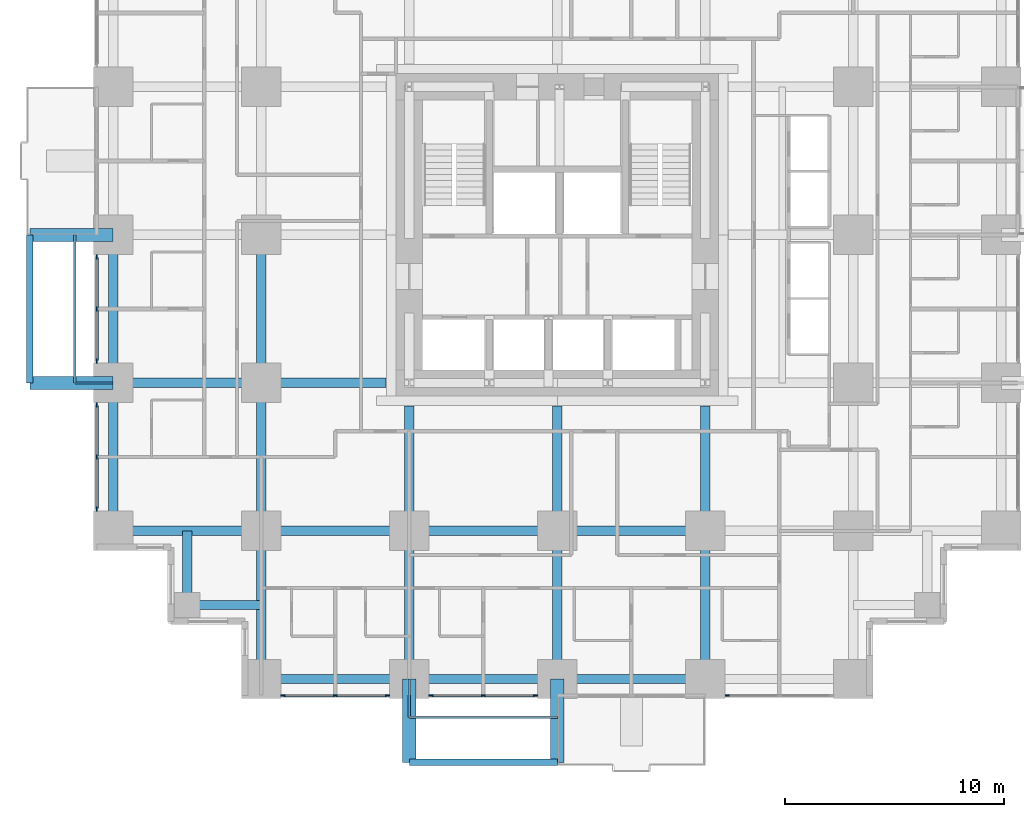
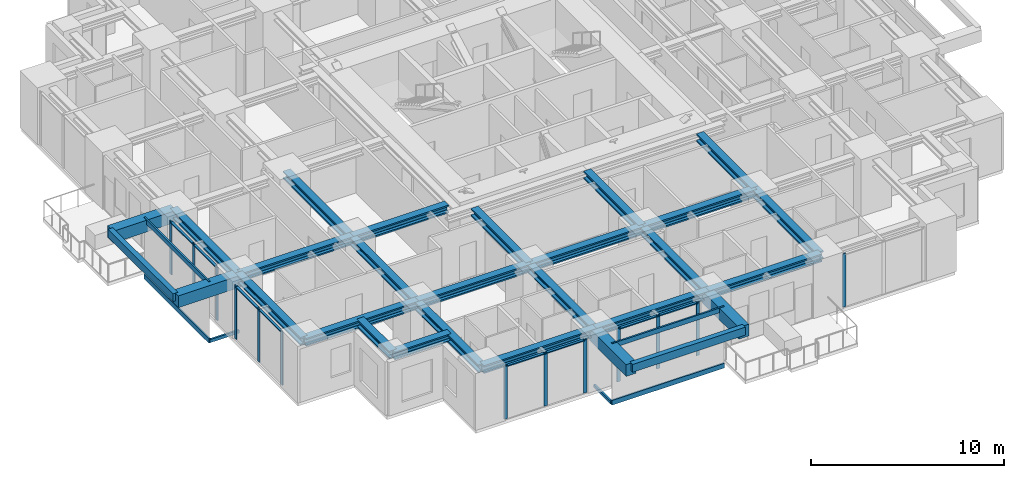
# One storey, part 2 of 14: 28 beams, 27 members, 5 elements without a shape of their own.
"""IFC4 building model written with IfcOpenShell, lengths in metres."""

from ifc_helpers import new_model, si_unit, direction, frame, origin, origin_2d, place, context, subcontext, project, spatial, rectangle, hollow_rectangle, i_section, extrude, material, material_profile, profile_set, type_object, element, aggregate, save


model = new_model("IFC4")

# Units and contexts
model_context = context("Model", 3, precision=1e-05, world=origin(), true_north=direction((0.0, 1.0)))
body_context = subcontext(model_context, "Body", "Model", "MODEL_VIEW")
ifc_project = project(units=[si_unit("LENGTHUNIT", "METRE"), si_unit("AREAUNIT", "SQUARE_METRE"), si_unit("VOLUMEUNIT", "CUBIC_METRE"), si_unit("PLANEANGLEUNIT", "RADIAN"), si_unit("MASSUNIT", "GRAM", prefix="KILO")], contexts=[model_context])

# Site, building, storey
site_placement = place(None, origin())
site = spatial("IfcSite", under=ifc_project, at=site_placement, CompositionType="ELEMENT")
building_placement = place(site_placement, origin())
building = spatial("IfcBuilding", under=site, at=building_placement, Name="Nyansa Garden Tower", CompositionType="ELEMENT")
storey_placement = place(building_placement, frame((0.0, 0.0, 50.39990234375)))
storey = spatial("IfcBuildingStorey", under=building, at=storey_placement, Name="L13", CompositionType="ELEMENT", Elevation=50.39990234375)

# Beams
ifc_material_1 = material(Name="Concrete C70/85", Category="concrete")
ifc_material_profile_1 = material_profile(ifc_material_1, rectangle(XDim=0.60009765625, YDim=0.75, at=origin_2d()), Name="RC 600x750")
ifc_profile_set_1 = profile_set([ifc_material_profile_1], Name="Concrete C70/85")
beam_type_1 = type_object("IfcBeamType", Name="Balcony cantilever beam CB1 RC 600x750", PredefinedType="BEAM", material=ifc_profile_set_1)
for number, where, z_axis, x_axis, name in (
    (1, (13.5, 0.0, 2.985107421875), (0.0, -1.0, 0.0), (1.0, 0.0, 0.0), "Balcony cantilever beam L14"),
    (2, (20.25, 0.0, 2.985107421875), (0.0, -1.0, 0.0), (1.0, 0.0, 0.0), "Balcony cantilever beam L14"),
    (3, (0.0, 13.5, 2.985107421875), (-1.0, 0.0, 0.0), (0.0, -1.0, 0.0), "Balcony cantilever beam L14"),
    (4, (0.0, 20.25, 2.985107421875), (-1.0, 0.0, 0.0), (0.0, -1.0, 0.0), "Balcony cantilever beam L14"),
):
    element("IfcBeam", number, at=place(storey_placement, frame(where, z_axis=z_axis, x_axis=x_axis)), inside=storey, type_object=beam_type_1, Name=name, PredefinedType="BEAM", context=body_context, shape_type="SweptSolid", body=[
        extrude(rectangle(XDim=0.60009765625, YDim=0.75, at=origin_2d()), origin(), (0.0, 0.0, 1.0), 3.800048828125),
    ])
ifc_material_2 = material(Name="Concrete C70/85", Category="concrete")
ifc_material_profile_2 = material_profile(ifc_material_2, rectangle(XDim=0.300048828125, YDim=0.5, at=origin_2d()), Name="RC 300x500")
ifc_profile_set_2 = profile_set([ifc_material_profile_2], Name="Concrete C70/85")
beam_type_2 = type_object("IfcBeamType", Name="Balcony edge beam BE1 RC 300x500", PredefinedType="BEAM", material=ifc_profile_set_2)
for number, where, z_axis, x_axis, name in (
    (5, (13.5, -3.800048828125, 3.110107421875), (1.0, 0.0, 0.0), (0.0, 1.0, 0.0), "Balcony edge beam L14"),
    (6, (-3.800048828125, 13.5, 3.110107421875), (0.0, 1.0, 0.0), (-1.0, 0.0, 0.0), "Balcony edge beam L14"),
):
    element("IfcBeam", number, at=place(storey_placement, frame(where, z_axis=z_axis, x_axis=x_axis)), inside=storey, type_object=beam_type_2, Name=name, PredefinedType="BEAM", context=body_context, shape_type="SweptSolid", body=[
        extrude(rectangle(XDim=0.300048828125, YDim=0.5, at=origin_2d()), origin(), (0.0, 0.0, 1.0), 6.75),
    ])

# Curtain wall, members
ifc_material_3 = material(Name="Black anodised aluminium, dark tinted double glazing", Category="aluminium")
curtain_wall_type = type_object("IfcCurtainWallType", Name="Inner skin curtain wall ISW-A", PredefinedType="USERDEFINED", material=ifc_material_3)
curtain_wall_1_placement = place(storey_placement, origin())
curtain_wall_1 = element("IfcCurtainWall", 7, at=curtain_wall_1_placement, inside=storey, type_object=curtain_wall_type, Name="Inner skin curtain wall L13 W", ObjectType="UNITISED CURTAIN WALL", PredefinedType="USERDEFINED")
ifc_material_4 = material(Name="Black anodised aluminium", Category="aluminium")
ifc_material_profile_3 = material_profile(ifc_material_4, rectangle(XDim=0.06494140625, YDim=0.199951171875, at=origin_2d()), Name="Mullion 200x65")
ifc_profile_set_3 = profile_set([ifc_material_profile_3], Name="Black anodised aluminium")
member_type_1 = type_object("IfcMemberType", Name="Mullion ISW-A 200x65", PredefinedType="MULLION", material=ifc_profile_set_3)
member_1_placement = place(storey_placement, frame((-0.75, 19.25, 0.0), z_axis=(0.0, 0.0, 1.0), x_axis=(1.0, 0.0, 0.0)))
member_1 = element("IfcMember", 8, at=member_1_placement, type_object=member_type_1, Name="ISW-A mullion 1", PredefinedType="MULLION", context=body_context, shape_type="SweptSolid", body=[
    extrude(rectangle(XDim=0.06494140625, YDim=0.199951171875, at=origin_2d()), origin(), (0.0, 0.0, 1.0), 3.375),
])
member_2_placement = place(storey_placement, frame((-0.75, 16.875, 0.0), z_axis=(0.0, 0.0, 1.0), x_axis=(1.0, 0.0, 0.0)))
member_2 = element("IfcMember", 9, at=member_2_placement, type_object=member_type_1, Name="ISW-A mullion 2", PredefinedType="MULLION", context=body_context, shape_type="SweptSolid", body=[
    extrude(rectangle(XDim=0.06494140625, YDim=0.199951171875, at=origin_2d()), origin(), (0.0, 0.0, 1.0), 3.375),
])
member_3_placement = place(storey_placement, frame((-0.75, 14.5, 0.0), z_axis=(0.0, 0.0, 1.0), x_axis=(1.0, 0.0, 0.0)))
member_3 = element("IfcMember", 10, at=member_3_placement, type_object=member_type_1, Name="ISW-A mullion 3", PredefinedType="MULLION", context=body_context, shape_type="SweptSolid", body=[
    extrude(rectangle(XDim=0.06494140625, YDim=0.199951171875, at=origin_2d()), origin(), (0.0, 0.0, 1.0), 3.375),
])

curtain_wall_2_placement = place(storey_placement, origin())
curtain_wall_2 = element("IfcCurtainWall", 11, at=curtain_wall_2_placement, inside=storey, type_object=curtain_wall_type, Name="Inner skin curtain wall L13 W", ObjectType="UNITISED CURTAIN WALL", PredefinedType="USERDEFINED")
member_4_placement = place(storey_placement, frame((-0.75, 12.5, 0.0), z_axis=(0.0, 0.0, 1.0), x_axis=(1.0, 0.0, 0.0)))
member_4 = element("IfcMember", 12, at=member_4_placement, type_object=member_type_1, Name="ISW-A mullion 1", PredefinedType="MULLION", context=body_context, shape_type="SweptSolid", body=[
    extrude(rectangle(XDim=0.06494140625, YDim=0.199951171875, at=origin_2d()), origin(), (0.0, 0.0, 1.0), 3.375),
])
member_5_placement = place(storey_placement, frame((-0.75, 10.125, 0.0), z_axis=(0.0, 0.0, 1.0), x_axis=(1.0, 0.0, 0.0)))
member_5 = element("IfcMember", 13, at=member_5_placement, type_object=member_type_1, Name="ISW-A mullion 2", PredefinedType="MULLION", context=body_context, shape_type="SweptSolid", body=[
    extrude(rectangle(XDim=0.06494140625, YDim=0.199951171875, at=origin_2d()), origin(), (0.0, 0.0, 1.0), 3.375),
])
member_6_placement = place(storey_placement, frame((-0.75, 7.75, 0.0), z_axis=(0.0, 0.0, 1.0), x_axis=(1.0, 0.0, 0.0)))
member_6 = element("IfcMember", 14, at=member_6_placement, type_object=member_type_1, Name="ISW-A mullion 3", PredefinedType="MULLION", context=body_context, shape_type="SweptSolid", body=[
    extrude(rectangle(XDim=0.06494140625, YDim=0.199951171875, at=origin_2d()), origin(), (0.0, 0.0, 1.0), 3.375),
])

curtain_wall_3_placement = place(storey_placement, origin())
curtain_wall_3 = element("IfcCurtainWall", 15, at=curtain_wall_3_placement, inside=storey, type_object=curtain_wall_type, Name="Inner skin curtain wall L13 S", ObjectType="UNITISED CURTAIN WALL", PredefinedType="USERDEFINED")
member_7_placement = place(storey_placement, frame((7.75, -0.75, 0.0), z_axis=(0.0, 0.0, 1.0), x_axis=(0.0, 1.0, 0.0)))
member_7 = element("IfcMember", 16, at=member_7_placement, type_object=member_type_1, Name="ISW-A mullion 1", PredefinedType="MULLION", context=body_context, shape_type="SweptSolid", body=[
    extrude(rectangle(XDim=0.06494140625, YDim=0.199951171875, at=origin_2d()), origin(), (0.0, 0.0, 1.0), 3.375),
])
member_8_placement = place(storey_placement, frame((10.125, -0.75, 0.0), z_axis=(0.0, 0.0, 1.0), x_axis=(0.0, 1.0, 0.0)))
member_8 = element("IfcMember", 17, at=member_8_placement, type_object=member_type_1, Name="ISW-A mullion 2", PredefinedType="MULLION", context=body_context, shape_type="SweptSolid", body=[
    extrude(rectangle(XDim=0.06494140625, YDim=0.199951171875, at=origin_2d()), origin(), (0.0, 0.0, 1.0), 3.375),
])
member_9_placement = place(storey_placement, frame((12.5, -0.75, 0.0), z_axis=(0.0, 0.0, 1.0), x_axis=(0.0, 1.0, 0.0)))
member_9 = element("IfcMember", 18, at=member_9_placement, type_object=member_type_1, Name="ISW-A mullion 3", PredefinedType="MULLION", context=body_context, shape_type="SweptSolid", body=[
    extrude(rectangle(XDim=0.06494140625, YDim=0.199951171875, at=origin_2d()), origin(), (0.0, 0.0, 1.0), 3.375),
])

curtain_wall_4_placement = place(storey_placement, origin())
curtain_wall_4 = element("IfcCurtainWall", 19, at=curtain_wall_4_placement, inside=storey, type_object=curtain_wall_type, Name="Inner skin curtain wall L13 S", ObjectType="UNITISED CURTAIN WALL", PredefinedType="USERDEFINED")
member_10_placement = place(storey_placement, frame((14.5, -0.75, 0.0), z_axis=(0.0, 0.0, 1.0), x_axis=(0.0, 1.0, 0.0)))
member_10 = element("IfcMember", 20, at=member_10_placement, type_object=member_type_1, Name="ISW-A mullion 1", PredefinedType="MULLION", context=body_context, shape_type="SweptSolid", body=[
    extrude(rectangle(XDim=0.06494140625, YDim=0.199951171875, at=origin_2d()), origin(), (0.0, 0.0, 1.0), 3.375),
])
member_11_placement = place(storey_placement, frame((16.875, -0.75, 0.0), z_axis=(0.0, 0.0, 1.0), x_axis=(0.0, 1.0, 0.0)))
member_11 = element("IfcMember", 21, at=member_11_placement, type_object=member_type_1, Name="ISW-A mullion 2", PredefinedType="MULLION", context=body_context, shape_type="SweptSolid", body=[
    extrude(rectangle(XDim=0.06494140625, YDim=0.199951171875, at=origin_2d()), origin(), (0.0, 0.0, 1.0), 3.375),
])
member_12_placement = place(storey_placement, frame((19.25, -0.75, 0.0), z_axis=(0.0, 0.0, 1.0), x_axis=(0.0, 1.0, 0.0)))
member_12 = element("IfcMember", 22, at=member_12_placement, type_object=member_type_1, Name="ISW-A mullion 3", PredefinedType="MULLION", context=body_context, shape_type="SweptSolid", body=[
    extrude(rectangle(XDim=0.06494140625, YDim=0.199951171875, at=origin_2d()), origin(), (0.0, 0.0, 1.0), 3.375),
])

# Curtain wall, member
curtain_wall_5_placement = place(storey_placement, origin())
curtain_wall_5 = element("IfcCurtainWall", 23, at=curtain_wall_5_placement, inside=storey, type_object=curtain_wall_type, Name="Inner skin curtain wall L13 S", ObjectType="UNITISED CURTAIN WALL", PredefinedType="USERDEFINED")
member_13_placement = place(storey_placement, frame((28.0, -0.75, 0.0), z_axis=(0.0, 0.0, 1.0), x_axis=(0.0, 1.0, 0.0)))
member_13 = element("IfcMember", 24, at=member_13_placement, type_object=member_type_1, Name="ISW-A mullion 1", PredefinedType="MULLION", context=body_context, shape_type="SweptSolid", body=[
    extrude(rectangle(XDim=0.06494140625, YDim=0.199951171875, at=origin_2d()), origin(), (0.0, 0.0, 1.0), 3.375),
])
aggregate(curtain_wall_5, [member_13])

# Members
ifc_material_5 = material(Name="Steel S355, black powder coated", Category="steel")
ifc_material_profile_4 = material_profile(ifc_material_5, hollow_rectangle(XDim=0.10009765625, YDim=0.199951171875, WallThickness=0.008056640625, at=origin_2d()), Name="RHS 200x100x8")
ifc_profile_set_4 = profile_set([ifc_material_profile_4], Name="Steel S355, black powder coated")
member_type_2 = type_object("IfcMemberType", Name="Outer skin bracket arm RHS 200x100x8", PredefinedType="USERDEFINED", material=ifc_profile_set_4)
for number, where, z_axis, x_axis, name in (
    (25, (0.0, 13.5, -0.375), (-1.0, 0.0, 0.0), (0.0, -1.0, 0.0), "Outer skin bracket arm"),
    (26, (13.5, 0.0, -0.375), (0.0, -1.0, 0.0), (1.0, 0.0, 0.0), "Outer skin bracket arm"),
):
    element("IfcMember", number, at=place(storey_placement, frame(where, z_axis=z_axis, x_axis=x_axis)), inside=storey, type_object=member_type_2, Name=name, ObjectType="OUTER SKIN BRACKET", PredefinedType="USERDEFINED", context=body_context, shape_type="SweptSolid", body=[
        extrude(hollow_rectangle(XDim=0.10009765625, YDim=0.199951171875, WallThickness=0.008056640625, at=origin_2d()), origin(), (0.0, 0.0, 1.0), 1.75),
    ])
ifc_material_6 = material(Name="Steel S355, black powder coated", Category="steel")
ifc_material_profile_5 = material_profile(ifc_material_6, hollow_rectangle(XDim=0.10009765625, YDim=0.300048828125, WallThickness=0.010009765625, at=origin_2d()), Name="RHS 300x100x10")
ifc_profile_set_5 = profile_set([ifc_material_profile_5], Name="Steel S355, black powder coated")
member_type_3 = type_object("IfcMemberType", Name="Outer skin rail RHS 300x100x10", PredefinedType="USERDEFINED", material=ifc_profile_set_5)
for number, where, z_axis, x_axis, name in (
    (27, (-1.75, 13.5, -0.375), (0.0, 1.0, 0.0), (-1.0, 0.0, 0.0), "Outer skin rail L13"),
    (28, (-1.75, 13.5, 3.22509765625), (0.0, 1.0, 0.0), (-1.0, 0.0, 0.0), "Outer skin rail L13 head"),
    (29, (13.5, -1.75, -0.375), (1.0, 0.0, 0.0), (0.0, 1.0, 0.0), "Outer skin rail L13"),
    (30, (13.5, -1.75, 3.22509765625), (1.0, 0.0, 0.0), (0.0, 1.0, 0.0), "Outer skin rail L13 head"),
):
    element("IfcMember", number, at=place(storey_placement, frame(where, z_axis=z_axis, x_axis=x_axis)), inside=storey, type_object=member_type_3, Name=name, ObjectType="OUTER SKIN RAIL", PredefinedType="USERDEFINED", context=body_context, shape_type="SweptSolid", body=[
        extrude(hollow_rectangle(XDim=0.10009765625, YDim=0.300048828125, WallThickness=0.010009765625, at=origin_2d()), origin(), (0.0, 0.0, 1.0), 6.75),
    ])

# Beams
ifc_material_7 = material(Name="Steel S355", Category="steel")
ifc_material_profile_6 = material_profile(ifc_material_7, i_section(OverallWidth=0.431884765625, OverallDepth=0.498046875, WebThickness=0.0556640625, FlangeThickness=0.0888671875, FilletRadius=0.014892578125, at=origin_2d()), Name="HD 400x744")
ifc_profile_set_6 = profile_set([ifc_material_profile_6], Name="Steel S355")
beam_type_3 = type_object("IfcBeamType", Name="Steel beam SBA1-744 HD 400x744", PredefinedType="BEAM", material=ifc_profile_set_6)
for number, where, z_axis, x_axis, name in (
    (31, (0.0, 6.75, 3.1259765625), (1.0, 0.0, 0.0), (0.0, 1.0, 0.0), "Steel beam 2/E-3/E L14"),
    (32, (0.0, 13.5, 3.1259765625), (1.0, 0.0, 0.0), (0.0, 1.0, 0.0), "Steel beam 2/F-3/F L14"),
    (33, (6.75, 0.0, 3.1259765625), (0.0, 1.0, 0.0), (-1.0, 0.0, 0.0), "Steel beam 3/D-3/E L14"),
    (34, (6.75, 6.75, 3.1259765625), (0.0, 1.0, 0.0), (-1.0, 0.0, 0.0), "Steel beam 3/E-3/F L14"),
    (35, (6.75, 6.75, 3.1259765625), (1.0, 0.0, 0.0), (0.0, 1.0, 0.0), "Steel beam 3/E-4/E L14"),
    (36, (6.75, 13.5, 3.1259765625), (0.0, 1.0, 0.0), (-1.0, 0.0, 0.0), "Steel beam 3/F-3/G L14"),
):
    element("IfcBeam", number, at=place(storey_placement, frame(where, z_axis=z_axis, x_axis=x_axis)), inside=storey, type_object=beam_type_3, Name=name, PredefinedType="BEAM", context=body_context, shape_type="SweptSolid", body=[
        extrude(i_section(OverallWidth=0.431884765625, OverallDepth=0.498046875, WebThickness=0.0556640625, FlangeThickness=0.0888671875, FilletRadius=0.014892578125, at=origin_2d()), origin(), (0.0, 0.0, 1.0), 6.75),
    ])
beam_1_placement = place(storey_placement, frame((6.75, 13.5, 3.1259765625), z_axis=(1.0, 0.0, 0.0), x_axis=(0.0, 1.0, 0.0)))
element("IfcBeam", 37, at=beam_1_placement, inside=storey, type_object=beam_type_3, Name="Steel beam 3/F-12.450/F L14", PredefinedType="BEAM", context=body_context, shape_type="SweptSolid", body=[
    extrude(i_section(OverallWidth=0.431884765625, OverallDepth=0.498046875, WebThickness=0.0556640625, FlangeThickness=0.0888671875, FilletRadius=0.014892578125, at=origin_2d()), origin(), (0.0, 0.0, 1.0), 5.699951171875),
])
beam_2_placement = place(storey_placement, frame((13.5, 0.0, 3.1259765625), z_axis=(0.0, 1.0, 0.0), x_axis=(-1.0, 0.0, 0.0)))
element("IfcBeam", 38, at=beam_2_placement, inside=storey, type_object=beam_type_3, Name="Steel beam 4/D-4/E L14", PredefinedType="BEAM", context=body_context, shape_type="SweptSolid", body=[
    extrude(i_section(OverallWidth=0.431884765625, OverallDepth=0.498046875, WebThickness=0.0556640625, FlangeThickness=0.0888671875, FilletRadius=0.014892578125, at=origin_2d()), origin(), (0.0, 0.0, 1.0), 6.75),
])
beam_3_placement = place(storey_placement, frame((13.5, 6.75, 3.1259765625), z_axis=(0.0, 1.0, 0.0), x_axis=(-1.0, 0.0, 0.0)))
element("IfcBeam", 39, at=beam_3_placement, inside=storey, type_object=beam_type_3, Name="Steel beam 4/E-4/12.450 L14", PredefinedType="BEAM", context=body_context, shape_type="SweptSolid", body=[
    extrude(i_section(OverallWidth=0.431884765625, OverallDepth=0.498046875, WebThickness=0.0556640625, FlangeThickness=0.0888671875, FilletRadius=0.014892578125, at=origin_2d()), origin(), (0.0, 0.0, 1.0), 5.699951171875),
])
for number, where, z_axis, x_axis, name in (
    (40, (13.5, 6.75, 3.1259765625), (1.0, 0.0, 0.0), (0.0, 1.0, 0.0), "Steel beam 4/E-5/E L14"),
    (41, (20.25, 0.0, 3.1259765625), (0.0, 1.0, 0.0), (-1.0, 0.0, 0.0), "Steel beam 5/D-5/E L14"),
):
    element("IfcBeam", number, at=place(storey_placement, frame(where, z_axis=z_axis, x_axis=x_axis)), inside=storey, type_object=beam_type_3, Name=name, PredefinedType="BEAM", context=body_context, shape_type="SweptSolid", body=[
        extrude(i_section(OverallWidth=0.431884765625, OverallDepth=0.498046875, WebThickness=0.0556640625, FlangeThickness=0.0888671875, FilletRadius=0.014892578125, at=origin_2d()), origin(), (0.0, 0.0, 1.0), 6.75),
    ])
beam_4_placement = place(storey_placement, frame((20.25, 6.75, 3.1259765625), z_axis=(0.0, 1.0, 0.0), x_axis=(-1.0, 0.0, 0.0)))
element("IfcBeam", 42, at=beam_4_placement, inside=storey, type_object=beam_type_3, Name="Steel beam 5/E-5/12.450 L14", PredefinedType="BEAM", context=body_context, shape_type="SweptSolid", body=[
    extrude(i_section(OverallWidth=0.431884765625, OverallDepth=0.498046875, WebThickness=0.0556640625, FlangeThickness=0.0888671875, FilletRadius=0.014892578125, at=origin_2d()), origin(), (0.0, 0.0, 1.0), 5.699951171875),
])
for number, where, z_axis, x_axis, name in (
    (43, (20.25, 6.75, 3.1259765625), (1.0, 0.0, 0.0), (0.0, 1.0, 0.0), "Steel beam 5/E-6/E L14"),
    (44, (27.0, 0.0, 3.1259765625), (0.0, 1.0, 0.0), (-1.0, 0.0, 0.0), "Steel beam 6/D-6/E L14"),
):
    element("IfcBeam", number, at=place(storey_placement, frame(where, z_axis=z_axis, x_axis=x_axis)), inside=storey, type_object=beam_type_3, Name=name, PredefinedType="BEAM", context=body_context, shape_type="SweptSolid", body=[
        extrude(i_section(OverallWidth=0.431884765625, OverallDepth=0.498046875, WebThickness=0.0556640625, FlangeThickness=0.0888671875, FilletRadius=0.014892578125, at=origin_2d()), origin(), (0.0, 0.0, 1.0), 6.75),
    ])
beam_5_placement = place(storey_placement, frame((27.0, 6.75, 3.1259765625), z_axis=(0.0, 1.0, 0.0), x_axis=(-1.0, 0.0, 0.0)))
element("IfcBeam", 45, at=beam_5_placement, inside=storey, type_object=beam_type_3, Name="Steel beam 6/E-6/12.450 L14", PredefinedType="BEAM", context=body_context, shape_type="SweptSolid", body=[
    extrude(i_section(OverallWidth=0.431884765625, OverallDepth=0.498046875, WebThickness=0.0556640625, FlangeThickness=0.0888671875, FilletRadius=0.014892578125, at=origin_2d()), origin(), (0.0, 0.0, 1.0), 5.699951171875),
])
ifc_material_8 = material(Name="Steel S355", Category="steel")
ifc_material_profile_7 = material_profile(ifc_material_8, i_section(OverallWidth=0.431884765625, OverallDepth=0.498046875, WebThickness=0.0556640625, FlangeThickness=0.0888671875, FilletRadius=0.014892578125, at=origin_2d()), Name="HD 400x744")
ifc_profile_set_7 = profile_set([ifc_material_profile_7], Name="Steel S355")
beam_type_4 = type_object("IfcBeamType", Name="Steel beam SEBA-744 HD 400x744", PredefinedType="BEAM", material=ifc_profile_set_7)
for number, where, z_axis, x_axis, name in (
    (46, (0.0, 6.75, 3.1259765625), (0.0, 1.0, 0.0), (-1.0, 0.0, 0.0), "Steel edge beam 2/E-2/F L14"),
    (47, (0.0, 13.5, 3.1259765625), (0.0, 1.0, 0.0), (-1.0, 0.0, 0.0), "Steel edge beam 2/F-2/G L14"),
    (48, (6.75, 0.0, 3.1259765625), (1.0, 0.0, 0.0), (0.0, 1.0, 0.0), "Steel edge beam 3/D-4/D L14"),
    (49, (13.5, 0.0, 3.1259765625), (1.0, 0.0, 0.0), (0.0, 1.0, 0.0), "Steel edge beam 4/D-5/D L14"),
    (50, (20.25, 0.0, 3.1259765625), (1.0, 0.0, 0.0), (0.0, 1.0, 0.0), "Steel edge beam 5/D-6/D L14"),
):
    element("IfcBeam", number, at=place(storey_placement, frame(where, z_axis=z_axis, x_axis=x_axis)), inside=storey, type_object=beam_type_4, Name=name, PredefinedType="BEAM", context=body_context, shape_type="SweptSolid", body=[
        extrude(i_section(OverallWidth=0.431884765625, OverallDepth=0.498046875, WebThickness=0.0556640625, FlangeThickness=0.0888671875, FilletRadius=0.014892578125, at=origin_2d()), origin(), (0.0, 0.0, 1.0), 6.75),
    ])
ifc_material_9 = material(Name="Steel S355", Category="steel")
ifc_material_profile_8 = material_profile(ifc_material_9, i_section(OverallWidth=0.431884765625, OverallDepth=0.498046875, WebThickness=0.0556640625, FlangeThickness=0.0888671875, FilletRadius=0.014892578125, at=origin_2d()), Name="HD 400x744")
ifc_profile_set_8 = profile_set([ifc_material_profile_8], Name="Steel S355")
beam_type_5 = type_object("IfcBeamType", Name="Steel beam SSB1-744 HD 400x744", PredefinedType="BEAM", material=ifc_profile_set_8)
for number, where, z_axis, x_axis, name in (
    (51, (3.375, 3.375, 3.1259765625), (0.0, 1.0, 0.0), (-1.0, 0.0, 0.0), "Steel step beam 3.375/3.375 L14"),
    (52, (3.375, 3.375, 3.1259765625), (1.0, 0.0, 0.0), (0.0, 1.0, 0.0), "Steel step beam 3.375/3.375 L14"),
):
    element("IfcBeam", number, at=place(storey_placement, frame(where, z_axis=z_axis, x_axis=x_axis)), inside=storey, type_object=beam_type_5, Name=name, PredefinedType="BEAM", context=body_context, shape_type="SweptSolid", body=[
        extrude(i_section(OverallWidth=0.431884765625, OverallDepth=0.498046875, WebThickness=0.0556640625, FlangeThickness=0.0888671875, FilletRadius=0.014892578125, at=origin_2d()), origin(), (0.0, 0.0, 1.0), 3.375),
    ])

# Member
ifc_material_10 = material(Name="Black anodised aluminium", Category="aluminium")
ifc_material_profile_9 = material_profile(ifc_material_10, rectangle(XDim=0.14990234375, YDim=0.06494140625, at=origin_2d()), Name="Transom 150x65")
ifc_profile_set_9 = profile_set([ifc_material_profile_9], Name="Black anodised aluminium")
member_type_4 = type_object("IfcMemberType", Name="Transom ISW-A 150x65", PredefinedType="USERDEFINED", material=ifc_profile_set_9)
member_14_placement = place(storey_placement, frame((-0.75, 19.217529296875, 3.342529296875), z_axis=(0.0, -1.0, 0.0), x_axis=(1.0, 0.0, 0.0)))
member_14 = element("IfcMember", 53, at=member_14_placement, type_object=member_type_4, Name="ISW-A transom 1", ObjectType="TRANSOM", PredefinedType="USERDEFINED", context=body_context, shape_type="SweptSolid", body=[
    extrude(rectangle(XDim=0.14990234375, YDim=0.06494140625, at=origin_2d()), origin(), (0.0, 0.0, 1.0), 2.31005859375),
])

member_15_placement = place(storey_placement, frame((-0.75, 16.842529296875, 3.342529296875), z_axis=(0.0, -1.0, 0.0), x_axis=(1.0, 0.0, 0.0)))
member_15 = element("IfcMember", 54, at=member_15_placement, type_object=member_type_4, Name="ISW-A transom 2", ObjectType="TRANSOM", PredefinedType="USERDEFINED", context=body_context, shape_type="SweptSolid", body=[
    extrude(rectangle(XDim=0.14990234375, YDim=0.06494140625, at=origin_2d()), origin(), (0.0, 0.0, 1.0), 2.31005859375),
])

aggregate(curtain_wall_1, [member_1, member_2, member_3, member_14, member_15])

member_16_placement = place(storey_placement, frame((-0.75, 12.467529296875, 3.342529296875), z_axis=(0.0, -1.0, 0.0), x_axis=(1.0, 0.0, 0.0)))
member_16 = element("IfcMember", 55, at=member_16_placement, type_object=member_type_4, Name="ISW-A transom 1", ObjectType="TRANSOM", PredefinedType="USERDEFINED", context=body_context, shape_type="SweptSolid", body=[
    extrude(rectangle(XDim=0.14990234375, YDim=0.06494140625, at=origin_2d()), origin(), (0.0, 0.0, 1.0), 2.31005859375),
])

member_17_placement = place(storey_placement, frame((-0.75, 10.092529296875, 3.342529296875), z_axis=(0.0, -1.0, 0.0), x_axis=(1.0, 0.0, 0.0)))
member_17 = element("IfcMember", 56, at=member_17_placement, type_object=member_type_4, Name="ISW-A transom 2", ObjectType="TRANSOM", PredefinedType="USERDEFINED", context=body_context, shape_type="SweptSolid", body=[
    extrude(rectangle(XDim=0.14990234375, YDim=0.06494140625, at=origin_2d()), origin(), (0.0, 0.0, 1.0), 2.31005859375),
])

aggregate(curtain_wall_2, [member_4, member_5, member_6, member_16, member_17])

member_18_placement = place(storey_placement, frame((7.782470703125, -0.75, 3.342529296875), z_axis=(1.0, 0.0, 0.0), x_axis=(0.0, 1.0, 0.0)))
member_18 = element("IfcMember", 57, at=member_18_placement, type_object=member_type_4, Name="ISW-A transom 1", ObjectType="TRANSOM", PredefinedType="USERDEFINED", context=body_context, shape_type="SweptSolid", body=[
    extrude(rectangle(XDim=0.14990234375, YDim=0.06494140625, at=origin_2d()), origin(), (0.0, 0.0, 1.0), 2.31005859375),
])

member_19_placement = place(storey_placement, frame((10.157470703125, -0.75, 3.342529296875), z_axis=(1.0, 0.0, 0.0), x_axis=(0.0, 1.0, 0.0)))
member_19 = element("IfcMember", 58, at=member_19_placement, type_object=member_type_4, Name="ISW-A transom 2", ObjectType="TRANSOM", PredefinedType="USERDEFINED", context=body_context, shape_type="SweptSolid", body=[
    extrude(rectangle(XDim=0.14990234375, YDim=0.06494140625, at=origin_2d()), origin(), (0.0, 0.0, 1.0), 2.31005859375),
])

aggregate(curtain_wall_3, [member_7, member_8, member_9, member_18, member_19])

member_20_placement = place(storey_placement, frame((14.532470703125, -0.75, 3.342529296875), z_axis=(1.0, 0.0, 0.0), x_axis=(0.0, 1.0, 0.0)))
member_20 = element("IfcMember", 59, at=member_20_placement, type_object=member_type_4, Name="ISW-A transom 1", ObjectType="TRANSOM", PredefinedType="USERDEFINED", context=body_context, shape_type="SweptSolid", body=[
    extrude(rectangle(XDim=0.14990234375, YDim=0.06494140625, at=origin_2d()), origin(), (0.0, 0.0, 1.0), 2.31005859375),
])

member_21_placement = place(storey_placement, frame((16.907470703125, -0.75, 3.342529296875), z_axis=(1.0, 0.0, 0.0), x_axis=(0.0, 1.0, 0.0)))
member_21 = element("IfcMember", 60, at=member_21_placement, type_object=member_type_4, Name="ISW-A transom 2", ObjectType="TRANSOM", PredefinedType="USERDEFINED", context=body_context, shape_type="SweptSolid", body=[
    extrude(rectangle(XDim=0.14990234375, YDim=0.06494140625, at=origin_2d()), origin(), (0.0, 0.0, 1.0), 2.31005859375),
])

aggregate(curtain_wall_4, [member_10, member_11, member_12, member_20, member_21])

save(model, "model.ifc")
